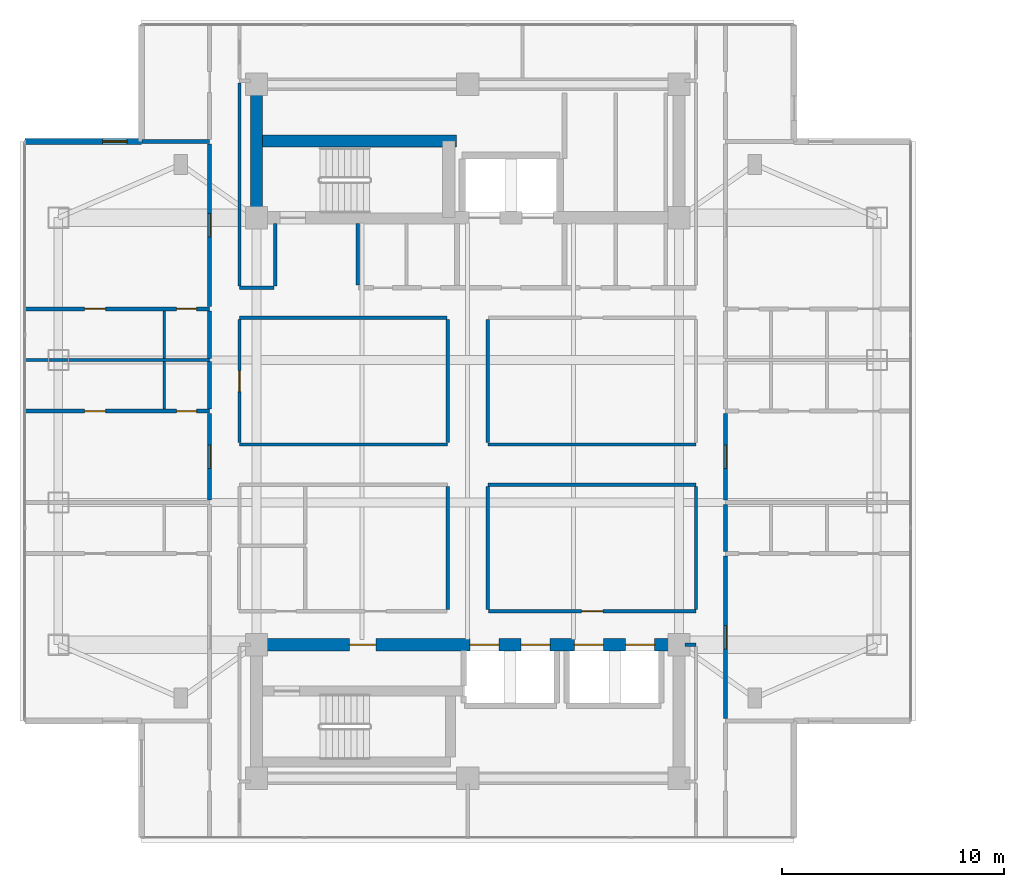
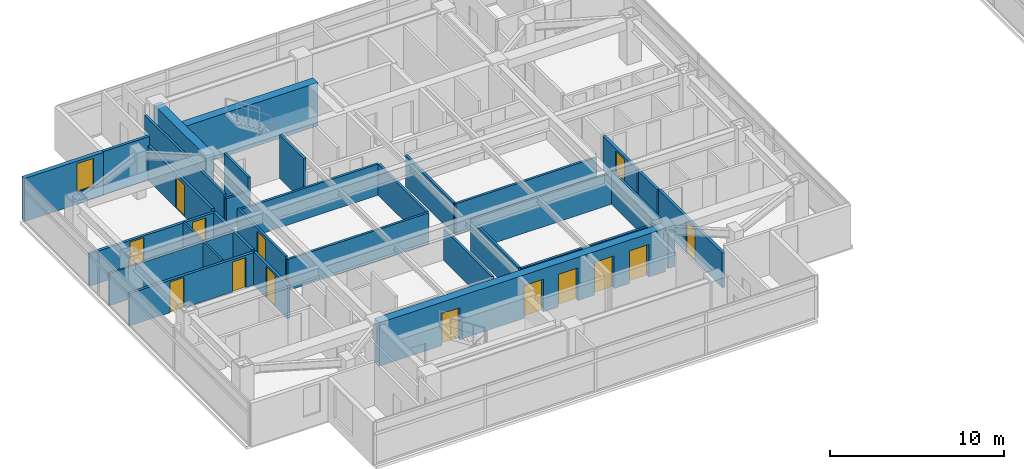
# One storey, part 13 of 24: 33 walls, 15 doors, 1 window, 16 openings.
"""IFC4 building model written with IfcOpenShell, lengths in metres."""

from ifc_helpers import new_model, si_unit, direction, frame, frame_2d, origin, place, context, subcontext, project, spatial, rectangle, extrude, material, layer, layer_set, type_object, element, fill, save


model = new_model("IFC4")

# Units and contexts
model_context = context("Model", 3, precision=1e-05, world=origin(), true_north=direction((0.0, 1.0)))
body_context = subcontext(model_context, "Body", "Model", "MODEL_VIEW")
ifc_project = project(units=[si_unit("LENGTHUNIT", "METRE"), si_unit("AREAUNIT", "SQUARE_METRE"), si_unit("VOLUMEUNIT", "CUBIC_METRE"), si_unit("PLANEANGLEUNIT", "RADIAN"), si_unit("MASSUNIT", "GRAM", prefix="KILO")], contexts=[model_context])

# Site, building, storey
site_placement = place(None, origin())
site = spatial("IfcSite", under=ifc_project, at=site_placement, CompositionType="ELEMENT")
building_placement = place(site_placement, origin())
building = spatial("IfcBuilding", under=site, at=building_placement, Name="Mirazonda Arch Towers", CompositionType="ELEMENT")
storey_placement = place(building_placement, frame((0.0, 0.0, 157.64990234375)))
storey = spatial("IfcBuildingStorey", under=building, at=storey_placement, Name="L44", CompositionType="ELEMENT", Elevation=157.64990234375)

# Walls
ifc_material_1 = material(Name="Concrete C50/60", Category="concrete")
ifc_layer_1 = layer(ifc_material_1, 0.550048828125, Name="WALL-CORE-550")
ifc_layer_set_1 = layer_set([ifc_layer_1], Name="Concrete C50/60")
wall_type_1 = type_object("IfcWallType", Name="WALL-CORE-550", PredefinedType="SHEAR", material=ifc_layer_set_1)
wall_1_placement = place(storey_placement, frame((11.0, 37.60009765625, 0.0), z_axis=(0.0, 0.0, 1.0), x_axis=(0.0, 1.0, 0.0)))
element("IfcWall", 1, at=wall_1_placement, inside=storey, type_object=wall_type_1, Name="L44 T1N-W Core Shear Wall", PredefinedType="SHEAR", context=body_context, shape_type="SweptSolid", body=[
    extrude(rectangle(XDim=6.0, YDim=0.550048828125, at=frame_2d((3.0, 0.0))), origin(), (0.0, 0.0, 1.0), 3.050048828125),
])
wall_2_placement = place(storey_placement, frame((11.0, 41.04296875, 0.0), z_axis=(0.0, 0.0, 1.0), x_axis=(1.0, 0.0, 0.0)))
element("IfcWall", 2, at=wall_2_placement, inside=storey, type_object=wall_type_1, Name="L44 T1N-STN Core Shear Wall", PredefinedType="SHEAR", context=body_context, shape_type="SweptSolid", body=[
    extrude(rectangle(XDim=9.0, YDim=0.550048828125, at=frame_2d((4.5, 0.0))), origin(), (0.0, 0.0, 1.0), 3.050048828125),
])

# Wall, openings, doors
wall_3_placement = place(storey_placement, frame((11.0, 18.39990234375, 0.0), z_axis=(0.0, 0.0, 1.0), x_axis=(1.0, 0.0, 0.0)))
wall_3 = element("IfcWall", 3, at=wall_3_placement, inside=storey, type_object=wall_type_1, Name="L44 T1S-N Core Shear Wall", PredefinedType="SHEAR", context=body_context, shape_type="SweptSolid", body=[
    extrude(rectangle(XDim=19.0, YDim=0.550048828125, at=frame_2d((9.5, 0.0))), origin(), (0.0, 0.0, 1.0), 3.050048828125),
])
opening_1_placement = place(wall_3_placement, frame((4.175048828125, 0.0, 0.0)))
opening_1 = element("IfcOpeningElement", 4, at=opening_1_placement, cuts=wall_3, Name="Opening DR-117", PredefinedType="OPENING", context=body_context, shape_type="SweptSolid", body=[
    extrude(rectangle(XDim=1.199951171875, YDim=2.25, at=frame_2d((0.60009765625, 1.125))), frame((0.0, 0.284912109375, 0.0), z_axis=(0.0, -1.0, 0.0), x_axis=(1.0, 0.0, 0.0)), (0.0, 0.0, 1.0), 0.570068359375),
])
opening_2_placement = place(wall_3_placement, frame((9.60009765625, 0.0, 0.0)))
opening_2 = element("IfcOpeningElement", 5, at=opening_2_placement, cuts=wall_3, Name="Opening LD-111", PredefinedType="OPENING", context=body_context, shape_type="SweptSolid", body=[
    extrude(rectangle(XDim=1.300048828125, YDim=2.300048828125, at=frame_2d((0.64990234375, 1.14990234375))), frame((0.0, 0.284912109375, 0.0), z_axis=(0.0, -1.0, 0.0), x_axis=(1.0, 0.0, 0.0)), (0.0, 0.0, 1.0), 0.570068359375),
])
opening_3_placement = place(wall_3_placement, frame((11.89990234375, 0.0, 0.0)))
opening_3 = element("IfcOpeningElement", 6, at=opening_3_placement, cuts=wall_3, Name="Opening LD-111", PredefinedType="OPENING", context=body_context, shape_type="SweptSolid", body=[
    extrude(rectangle(XDim=1.300048828125, YDim=2.300048828125, at=frame_2d((0.64990234375, 1.14990234375))), frame((0.0, 0.284912109375, 0.0), z_axis=(0.0, -1.0, 0.0), x_axis=(1.0, 0.0, 0.0)), (0.0, 0.0, 1.0), 0.570068359375),
])
opening_4_placement = place(wall_3_placement, frame((14.300048828125, 0.0, 0.0)))
opening_4 = element("IfcOpeningElement", 7, at=opening_4_placement, cuts=wall_3, Name="Opening LD-111", PredefinedType="OPENING", context=body_context, shape_type="SweptSolid", body=[
    extrude(rectangle(XDim=1.300048828125, YDim=2.300048828125, at=frame_2d((0.64990234375, 1.14990234375))), frame((0.0, 0.284912109375, 0.0), z_axis=(0.0, -1.0, 0.0), x_axis=(1.0, 0.0, 0.0)), (0.0, 0.0, 1.0), 0.570068359375),
])
opening_5_placement = place(wall_3_placement, frame((16.60009765625, 0.0, 0.0)))
opening_5 = element("IfcOpeningElement", 8, at=opening_5_placement, cuts=wall_3, Name="Opening LD-111", PredefinedType="OPENING", context=body_context, shape_type="SweptSolid", body=[
    extrude(rectangle(XDim=1.300048828125, YDim=2.300048828125, at=frame_2d((0.64990234375, 1.14990234375))), frame((0.0, 0.284912109375, 0.0), z_axis=(0.0, -1.0, 0.0), x_axis=(1.0, 0.0, 0.0)), (0.0, 0.0, 1.0), 0.570068359375),
])
ifc_material_2 = material(Name="Architectural Brushed Steel S355", Category="steel")
door_type_1 = type_object("IfcDoorType", Name="DOOR-FFL-FD90-1200", OperationType="NOTDEFINED", PredefinedType="DOOR", material=ifc_material_2)
door_1_placement = place(opening_1_placement, origin())
door_1 = element("IfcDoor", 9, at=door_1_placement, inside=storey, type_object=door_type_1, Name="L44 South Core Stair & Lift Lobby Door", OperationType="SINGLE_SWING_LEFT", OverallHeight=2.25, OverallWidth=1.199951171875, PredefinedType="DOOR", context=body_context, shape_type="SweptSolid", body=[
    extrude(rectangle(XDim=1.199951171875, YDim=2.25, at=frame_2d((0.60009765625, 1.125))), frame((0.0, 0.02490234375, 0.0), z_axis=(0.0, -1.0, 0.0), x_axis=(1.0, 0.0, 0.0)), (0.0, 0.0, 1.0), 0.050048828125),
])
fill(opening_1, door_1)
door_type_2 = type_object("IfcDoorType", Name="DOOR-LIFT-LAND-1300", OperationType="NOTDEFINED", PredefinedType="DOOR", material=ifc_material_2)
door_2_placement = place(opening_2_placement, origin())
door_2 = element("IfcDoor", 10, at=door_2_placement, inside=storey, type_object=door_type_2, Name="L44 Lift Landing Sliding Door PL-T1M1", OperationType="DOUBLE_DOOR_SLIDING", OverallHeight=2.300048828125, OverallWidth=1.300048828125, PredefinedType="DOOR", context=body_context, shape_type="SweptSolid", body=[
    extrude(rectangle(XDim=1.300048828125, YDim=2.300048828125, at=frame_2d((0.64990234375, 1.14990234375))), frame((0.0, 0.02490234375, 0.0), z_axis=(0.0, -1.0, 0.0), x_axis=(1.0, 0.0, 0.0)), (0.0, 0.0, 1.0), 0.050048828125),
])
fill(opening_2, door_2)
door_3_placement = place(opening_3_placement, origin())
door_3 = element("IfcDoor", 11, at=door_3_placement, inside=storey, type_object=door_type_2, Name="L44 Lift Landing Sliding Door PL-T1M2", OperationType="DOUBLE_DOOR_SLIDING", OverallHeight=2.300048828125, OverallWidth=1.300048828125, PredefinedType="DOOR", context=body_context, shape_type="SweptSolid", body=[
    extrude(rectangle(XDim=1.300048828125, YDim=2.300048828125, at=frame_2d((0.64990234375, 1.14990234375))), frame((0.0, 0.02490234375, 0.0), z_axis=(0.0, -1.0, 0.0), x_axis=(1.0, 0.0, 0.0)), (0.0, 0.0, 1.0), 0.050048828125),
])
fill(opening_3, door_3)
door_4_placement = place(opening_4_placement, origin())
door_4 = element("IfcDoor", 12, at=door_4_placement, inside=storey, type_object=door_type_2, Name="L44 Lift Landing Sliding Door PL-T1H1", OperationType="DOUBLE_DOOR_SLIDING", OverallHeight=2.300048828125, OverallWidth=1.300048828125, PredefinedType="DOOR", context=body_context, shape_type="SweptSolid", body=[
    extrude(rectangle(XDim=1.300048828125, YDim=2.300048828125, at=frame_2d((0.64990234375, 1.14990234375))), frame((0.0, 0.02490234375, 0.0), z_axis=(0.0, -1.0, 0.0), x_axis=(1.0, 0.0, 0.0)), (0.0, 0.0, 1.0), 0.050048828125),
])
fill(opening_4, door_4)
door_5_placement = place(opening_5_placement, origin())
door_5 = element("IfcDoor", 13, at=door_5_placement, inside=storey, type_object=door_type_2, Name="L44 Lift Landing Sliding Door PL-T1H2", OperationType="DOUBLE_DOOR_SLIDING", OverallHeight=2.300048828125, OverallWidth=1.300048828125, PredefinedType="DOOR", context=body_context, shape_type="SweptSolid", body=[
    extrude(rectangle(XDim=1.300048828125, YDim=2.300048828125, at=frame_2d((0.64990234375, 1.14990234375))), frame((0.0, 0.02490234375, 0.0), z_axis=(0.0, -1.0, 0.0), x_axis=(1.0, 0.0, 0.0)), (0.0, 0.0, 1.0), 0.050048828125),
])
fill(opening_5, door_5)

# Wall, opening, window
ifc_material_3 = material(Name="Precast Concrete C40/50", Category="concrete")
ifc_layer_2 = layer(ifc_material_3, 0.280029296875, Name="WALL-EXT-WALL-280")
ifc_layer_set_2 = layer_set([ifc_layer_2], Name="Precast Concrete C40/50")
wall_type_2 = type_object("IfcWallType", Name="WALL-EXT-WALL-280", PredefinedType="SOLIDWALL", material=ifc_layer_set_2)
wall_4_placement = place(storey_placement, frame((5.8349609375, 41.02294921875, 0.0), z_axis=(0.0, 0.0, 1.0), x_axis=(-1.0, 0.0, 0.0)))
wall_4 = element("IfcWall", 14, at=wall_4_placement, inside=storey, type_object=wall_type_2, Name="L44 T1 Corner Notch Return Wall WL-L44-T1-CNW1", PredefinedType="SOLIDWALL", context=body_context, shape_type="SweptSolid", body=[
    extrude(rectangle(XDim=5.244873046875, YDim=0.280029296875, at=frame_2d((2.62255859375, 0.0))), origin(), (0.0, 0.0, 1.0), 3.030029296875),
])
opening_6_placement = place(wall_4_placement, frame((0.64990234375, 0.0, 0.85009765625)))
opening_6 = element("IfcOpeningElement", 15, at=opening_6_placement, cuts=wall_4, Name="Opening WN-108", PredefinedType="OPENING", context=body_context, shape_type="SweptSolid", body=[
    extrude(rectangle(XDim=1.10009765625, YDim=2.0, at=frame_2d((0.550048828125, 1.0))), frame((0.0, 0.14990234375, 0.0), z_axis=(0.0, -1.0, 0.0), x_axis=(1.0, 0.0, 0.0)), (0.0, 0.0, 1.0), 0.300048828125),
])
ifc_material_4 = material(Name="Insulated Low-E Solar Glass", Category="glass")
window_type = type_object("IfcWindowType", Name="WIN-NOTCH-1100x2000", PartitioningType="SINGLE_PANEL", PredefinedType="WINDOW", material=ifc_material_4)
window_placement = place(opening_6_placement, origin())
window = element("IfcWindow", 16, at=window_placement, inside=storey, type_object=window_type, Name="L44 Punched Facade Window WN-L44-T1-CNW1", OverallHeight=2.0, OverallWidth=1.10009765625, PartitioningType="SINGLE_PANEL", PredefinedType="WINDOW", context=body_context, shape_type="SweptSolid", body=[
    extrude(rectangle(XDim=1.10009765625, YDim=2.0, at=frame_2d((0.550048828125, 1.0))), frame((0.0, 0.030029296875, 0.0), z_axis=(0.0, -1.0, 0.0), x_axis=(1.0, 0.0, 0.0)), (0.0, 0.0, 1.0), 0.06005859375),
])
fill(opening_6, window)

# Wall
ifc_material_5 = material(Name="Fire-Rated Gypsum Stud Partition")
ifc_layer_3 = layer(ifc_material_5, 0.14990234375, Name="WALL-PART-CORR-150")
ifc_layer_set_3 = layer_set([ifc_layer_3], Name="Fire-Rated Gypsum Stud Partition")
wall_type_3 = type_object("IfcWallType", Name="WALL-PART-CORR-150", PredefinedType="PARTITIONING", material=ifc_layer_set_3)
wall_5_placement = place(storey_placement, frame((30.27001953125, 18.39990234375, 0.0), z_axis=(0.0, 0.0, 1.0), x_axis=(1.0, 0.0, 0.0)))
element("IfcWall", 17, at=wall_5_placement, inside=storey, type_object=wall_type_3, Name="L44 Interior Partition 013", PredefinedType="PARTITIONING", context=body_context, shape_type="SweptSolid", body=[
    extrude(rectangle(XDim=0.489990234375, YDim=0.14990234375, at=frame_2d((0.2451171875, 0.0))), origin(), (0.0, 0.0, 1.0), 2.442138671875),
])

# Wall, opening, door
wall_6_placement = place(storey_placement, frame((21.43994140625, 19.89990234375, 0.0), z_axis=(0.0, 0.0, 1.0), x_axis=(1.0, 0.0, 0.0)))
wall_6 = element("IfcWall", 18, at=wall_6_placement, inside=storey, type_object=wall_type_3, Name="L44 Interior Partition 016", PredefinedType="PARTITIONING", context=body_context, shape_type="SweptSolid", body=[
    extrude(rectangle(XDim=9.320068359375, YDim=0.14990234375, at=frame_2d((4.66015625, 0.0))), origin(), (0.0, 0.0, 1.0), 2.18603515625),
])
opening_7_placement = place(wall_6_placement, frame((4.18505859375, 0.0, 0.0)))
opening_7 = element("IfcOpeningElement", 19, at=opening_7_placement, cuts=wall_6, Name="Opening DR-104", PredefinedType="OPENING", context=body_context, shape_type="SweptSolid", body=[
    extrude(rectangle(XDim=0.949951171875, YDim=2.14990234375, at=frame_2d((0.47509765625, 1.074951171875))), frame((0.0, 0.0849609375, 0.0), z_axis=(0.0, -1.0, 0.0), x_axis=(1.0, 0.0, 0.0)), (0.0, 0.0, 1.0), 0.169921875),
])
door_type_3 = type_object("IfcDoorType", Name="DOOR-ROOM-950", OperationType="NOTDEFINED", PredefinedType="DOOR", material=ifc_material_2)
door_6_placement = place(opening_7_placement, origin())
door_6 = element("IfcDoor", 20, at=door_6_placement, inside=storey, type_object=door_type_3, Name="L44 L44 South-East Cruciform Lounge Door", OperationType="SINGLE_SWING_LEFT", OverallHeight=2.14990234375, OverallWidth=0.949951171875, PredefinedType="DOOR", context=body_context, shape_type="SweptSolid", body=[
    extrude(rectangle(XDim=0.949951171875, YDim=2.14990234375, at=frame_2d((0.47509765625, 1.074951171875))), frame((0.0, 0.02490234375, 0.0), z_axis=(0.0, -1.0, 0.0), x_axis=(1.0, 0.0, 0.0)), (0.0, 0.0, 1.0), 0.050048828125),
])
fill(opening_7, door_6)

# Walls
for number, where, z_axis, x_axis, name in (
    (21, (21.39990234375, 25.60009765625, 0.0), (0.0, 0.0, 1.0), (1.0, 0.0, 0.0), "L44 Interior Partition 030"),
    (22, (10.239990234375, 27.39990234375, 0.0), (0.0, 0.0, 1.0), (1.0, 0.0, 0.0), "L44 Interior Partition 033"),
    (23, (21.39990234375, 27.39990234375, 0.0), (0.0, 0.0, 1.0), (1.0, 0.0, 0.0), "L44 Interior Partition 034"),
):
    element("IfcWall", number, at=place(storey_placement, frame(where, z_axis=z_axis, x_axis=x_axis)), inside=storey, type_object=wall_type_3, Name=name, PredefinedType="PARTITIONING", context=body_context, shape_type="SweptSolid", body=[
        extrude(rectangle(XDim=9.360107421875, YDim=0.14990234375, at=frame_2d((4.68017578125, 0.0))), origin(), (0.0, 0.0, 1.0), 2.18603515625),
    ])
wall_7_placement = place(storey_placement, frame((10.239990234375, 33.10009765625, 0.0), z_axis=(0.0, 0.0, 1.0), x_axis=(1.0, 0.0, 0.0)))
element("IfcWall", 24, at=wall_7_placement, inside=storey, type_object=wall_type_3, Name="L44 Interior Partition 047", PredefinedType="PARTITIONING", context=body_context, shape_type="SweptSolid", body=[
    extrude(rectangle(XDim=9.320068359375, YDim=0.14990234375, at=frame_2d((4.66015625, 0.0))), origin(), (0.0, 0.0, 1.0), 2.18603515625),
])
wall_8_placement = place(storey_placement, frame((10.239990234375, 34.449951171875, 0.0), z_axis=(0.0, 0.0, 1.0), x_axis=(1.0, 0.0, 0.0)))
element("IfcWall", 25, at=wall_8_placement, inside=storey, type_object=wall_type_3, Name="L44 Interior Partition 051", PredefinedType="PARTITIONING", context=body_context, shape_type="SweptSolid", body=[
    extrude(rectangle(XDim=1.56005859375, YDim=0.14990234375, at=frame_2d((0.780029296875, 0.0))), origin(), (0.0, 0.0, 1.0), 2.18603515625),
])

# Wall, opening, door
wall_9_placement = place(storey_placement, frame((10.239990234375, 27.485107421875, 0.0), z_axis=(0.0, 0.0, 1.0), x_axis=(0.0, 1.0, 0.0)))
wall_9 = element("IfcWall", 26, at=wall_9_placement, inside=storey, type_object=wall_type_3, Name="L44 Interior Partition 079", PredefinedType="PARTITIONING", context=body_context, shape_type="SweptSolid", body=[
    extrude(rectangle(XDim=5.52978515625, YDim=0.14990234375, at=frame_2d((2.764892578125, 0.0))), origin(), (0.0, 0.0, 1.0), 2.34619140625),
])
opening_8_placement = place(wall_9_placement, frame((2.2900390625, 0.0, 0.0)))
opening_8 = element("IfcOpeningElement", 27, at=opening_8_placement, cuts=wall_9, Name="Opening DR-104", PredefinedType="OPENING", context=body_context, shape_type="SweptSolid", body=[
    extrude(rectangle(XDim=0.949951171875, YDim=2.14990234375, at=frame_2d((0.47509765625, 1.074951171875))), frame((0.0, 0.0849609375, 0.0), z_axis=(0.0, -1.0, 0.0), x_axis=(1.0, 0.0, 0.0)), (0.0, 0.0, 1.0), 0.169921875),
])
door_7_placement = place(opening_8_placement, origin())
door_7 = element("IfcDoor", 28, at=door_7_placement, inside=storey, type_object=door_type_3, Name="L44 L44 West Courtyard Reading Salon Door", OperationType="SINGLE_SWING_RIGHT", OverallHeight=2.14990234375, OverallWidth=0.949951171875, PredefinedType="DOOR", context=body_context, shape_type="SweptSolid", body=[
    extrude(rectangle(XDim=0.949951171875, YDim=2.14990234375, at=frame_2d((0.47509765625, 1.074951171875))), frame((0.0, 0.02490234375, 0.0), z_axis=(0.0, -1.0, 0.0), x_axis=(1.0, 0.0, 0.0)), (0.0, 0.0, 1.0), 0.050048828125),
])
fill(opening_8, door_7)

# Walls
wall_10_placement = place(storey_placement, frame((10.239990234375, 34.534912109375, 0.0), z_axis=(0.0, 0.0, 1.0), x_axis=(0.0, 1.0, 0.0)))
element("IfcWall", 29, at=wall_10_placement, inside=storey, type_object=wall_type_3, Name="L44 Interior Partition 080", PredefinedType="PARTITIONING", context=body_context, shape_type="SweptSolid", body=[
    extrude(rectangle(XDim=9.130126953125, YDim=0.14990234375, at=frame_2d((4.56494140625, 0.0))), origin(), (0.0, 0.0, 1.0), 2.442138671875),
])
wall_11_placement = place(storey_placement, frame((11.85009765625, 34.534912109375, 0.0), z_axis=(0.0, 0.0, 1.0), x_axis=(0.0, 1.0, 0.0)))
element("IfcWall", 30, at=wall_11_placement, inside=storey, type_object=wall_type_3, Name="L44 Interior Partition 082", PredefinedType="PARTITIONING", context=body_context, shape_type="SweptSolid", body=[
    extrude(rectangle(XDim=2.795166015625, YDim=0.14990234375, at=frame_2d((1.3974609375, 0.0))), origin(), (0.0, 0.0, 1.0), 3.050048828125),
])
wall_12_placement = place(storey_placement, frame((15.550048828125, 34.570068359375, 0.0), z_axis=(0.0, 0.0, 1.0), x_axis=(0.0, 1.0, 0.0)))
element("IfcWall", 31, at=wall_12_placement, inside=storey, type_object=wall_type_3, Name="L44 Interior Partition 085", PredefinedType="PARTITIONING", context=body_context, shape_type="SweptSolid", body=[
    extrude(rectangle(XDim=2.760009765625, YDim=0.14990234375, at=frame_2d((1.3798828125, 0.0))), origin(), (0.0, 0.0, 1.0), 3.050048828125),
])
for number, where, z_axis, x_axis, name in (
    (32, (19.60009765625, 19.985107421875, 0.0), (0.0, 0.0, 1.0), (0.0, 1.0, 0.0), "L44 Interior Partition 087"),
    (33, (19.60009765625, 27.485107421875, 0.0), (0.0, 0.0, 1.0), (0.0, 1.0, 0.0), "L44 Interior Partition 088"),
    (34, (21.39990234375, 19.985107421875, 0.0), (0.0, 0.0, 1.0), (0.0, 1.0, 0.0), "L44 Interior Partition 095"),
    (35, (21.39990234375, 27.485107421875, 0.0), (0.0, 0.0, 1.0), (0.0, 1.0, 0.0), "L44 Interior Partition 096"),
):
    element("IfcWall", number, at=place(storey_placement, frame(where, z_axis=z_axis, x_axis=x_axis)), inside=storey, type_object=wall_type_3, Name=name, PredefinedType="PARTITIONING", context=body_context, shape_type="SweptSolid", body=[
        extrude(rectangle(XDim=5.52978515625, YDim=0.14990234375, at=frame_2d((2.764892578125, 0.0))), origin(), (0.0, 0.0, 1.0), 2.18603515625),
    ])
wall_13_placement = place(storey_placement, frame((30.760009765625, 19.985107421875, 0.0), z_axis=(0.0, 0.0, 1.0), x_axis=(0.0, 1.0, 0.0)))
element("IfcWall", 36, at=wall_13_placement, inside=storey, type_object=wall_type_3, Name="L44 Interior Partition 110", PredefinedType="PARTITIONING", context=body_context, shape_type="SweptSolid", body=[
    extrude(rectangle(XDim=5.52978515625, YDim=0.14990234375, at=frame_2d((2.764892578125, 0.0))), origin(), (0.0, 0.0, 1.0), 2.34619140625),
])

# Wall, openings, doors
ifc_material_6 = material(Name="Fire-Rated Gypsum Twin-Stud Assembly")
ifc_layer_4 = layer(ifc_material_6, 0.179931640625, Name="WALL-PART-DEMISE-180")
ifc_layer_set_4 = layer_set([ifc_layer_4], Name="Fire-Rated Gypsum Twin-Stud Assembly")
wall_type_4 = type_object("IfcWallType", Name="WALL-PART-DEMISE-180", PredefinedType="PARTITIONING", material=ifc_layer_set_4)
wall_14_placement = place(storey_placement, frame((0.590087890625, 28.89990234375, 0.0), z_axis=(0.0, 0.0, 1.0), x_axis=(1.0, 0.0, 0.0)))
wall_14 = element("IfcWall", 37, at=wall_14_placement, inside=storey, type_object=wall_type_4, Name="L44 Interior Partition 037", PredefinedType="PARTITIONING", context=body_context, shape_type="SweptSolid", body=[
    extrude(rectangle(XDim=8.309814453125, YDim=0.179931640625, at=frame_2d((4.15478515625, 0.0))), origin(), (0.0, 0.0, 1.0), 2.26904296875),
])
opening_9_placement = place(wall_14_placement, frame((2.679931640625, 0.0, 0.0)))
opening_9 = element("IfcOpeningElement", 38, at=opening_9_placement, cuts=wall_14, Name="Opening DR-104", PredefinedType="OPENING", context=body_context, shape_type="SweptSolid", body=[
    extrude(rectangle(XDim=0.949951171875, YDim=2.14990234375, at=frame_2d((0.47509765625, 1.074951171875))), frame((0.0, 0.099853515625, 0.0), z_axis=(0.0, -1.0, 0.0), x_axis=(1.0, 0.0, 0.0)), (0.0, 0.0, 1.0), 0.199951171875),
])
opening_10_placement = place(wall_14_placement, frame((6.820068359375, 0.0, 0.0)))
opening_10 = element("IfcOpeningElement", 39, at=opening_10_placement, cuts=wall_14, Name="Opening DR-120", PredefinedType="OPENING", context=body_context, shape_type="SweptSolid", body=[
    extrude(rectangle(XDim=0.89990234375, YDim=2.10009765625, at=frame_2d((0.449951171875, 1.050048828125))), frame((0.0, 0.099853515625, 0.0), z_axis=(0.0, -1.0, 0.0), x_axis=(1.0, 0.0, 0.0)), (0.0, 0.0, 1.0), 0.199951171875),
])
door_8_placement = place(opening_9_placement, origin())
door_8 = element("IfcDoor", 40, at=door_8_placement, inside=storey, type_object=door_type_3, Name="L44 Studio 2 Galley Kitchen Door", OperationType="SINGLE_SWING_RIGHT", OverallHeight=2.14990234375, OverallWidth=0.949951171875, PredefinedType="DOOR", context=body_context, shape_type="SweptSolid", body=[
    extrude(rectangle(XDim=0.949951171875, YDim=2.14990234375, at=frame_2d((0.47509765625, 1.074951171875))), frame((0.0, 0.02490234375, 0.0), z_axis=(0.0, -1.0, 0.0), x_axis=(1.0, 0.0, 0.0)), (0.0, 0.0, 1.0), 0.050048828125),
])
fill(opening_9, door_8)
door_type_4 = type_object("IfcDoorType", Name="DOOR-WC-900", OperationType="NOTDEFINED", PredefinedType="DOOR", material=ifc_material_2)
door_9_placement = place(opening_10_placement, origin())
door_9 = element("IfcDoor", 41, at=door_9_placement, inside=storey, type_object=door_type_4, Name="L44 Studio 2 Bathroom Door", OperationType="SINGLE_SWING_LEFT", OverallHeight=2.10009765625, OverallWidth=0.89990234375, PredefinedType="DOOR", context=body_context, shape_type="SweptSolid", body=[
    extrude(rectangle(XDim=0.89990234375, YDim=2.10009765625, at=frame_2d((0.449951171875, 1.050048828125))), frame((0.0, 0.02490234375, 0.0), z_axis=(0.0, -1.0, 0.0), x_axis=(1.0, 0.0, 0.0)), (0.0, 0.0, 1.0), 0.050048828125),
])
fill(opening_10, door_9)

wall_15_placement = place(storey_placement, frame((0.590087890625, 33.5, 0.0), z_axis=(0.0, 0.0, 1.0), x_axis=(1.0, 0.0, 0.0)))
wall_15 = element("IfcWall", 42, at=wall_15_placement, inside=storey, type_object=wall_type_4, Name="L44 Interior Partition 049", PredefinedType="PARTITIONING", context=body_context, shape_type="SweptSolid", body=[
    extrude(rectangle(XDim=8.309814453125, YDim=0.179931640625, at=frame_2d((4.15478515625, 0.0))), origin(), (0.0, 0.0, 1.0), 2.26904296875),
])
opening_11_placement = place(wall_15_placement, frame((2.679931640625, 0.0, 0.0)))
opening_11 = element("IfcOpeningElement", 43, at=opening_11_placement, cuts=wall_15, Name="Opening DR-104", PredefinedType="OPENING", context=body_context, shape_type="SweptSolid", body=[
    extrude(rectangle(XDim=0.949951171875, YDim=2.14990234375, at=frame_2d((0.47509765625, 1.074951171875))), frame((0.0, 0.099853515625, 0.0), z_axis=(0.0, -1.0, 0.0), x_axis=(1.0, 0.0, 0.0)), (0.0, 0.0, 1.0), 0.199951171875),
])
opening_12_placement = place(wall_15_placement, frame((6.820068359375, 0.0, 0.0)))
opening_12 = element("IfcOpeningElement", 44, at=opening_12_placement, cuts=wall_15, Name="Opening DR-120", PredefinedType="OPENING", context=body_context, shape_type="SweptSolid", body=[
    extrude(rectangle(XDim=0.89990234375, YDim=2.10009765625, at=frame_2d((0.449951171875, 1.050048828125))), frame((0.0, 0.099853515625, 0.0), z_axis=(0.0, -1.0, 0.0), x_axis=(1.0, 0.0, 0.0)), (0.0, 0.0, 1.0), 0.199951171875),
])
door_10_placement = place(opening_11_placement, origin())
door_10 = element("IfcDoor", 45, at=door_10_placement, inside=storey, type_object=door_type_3, Name="L44 Studio 3 Galley Kitchen Door", OperationType="SINGLE_SWING_LEFT", OverallHeight=2.14990234375, OverallWidth=0.949951171875, PredefinedType="DOOR", context=body_context, shape_type="SweptSolid", body=[
    extrude(rectangle(XDim=0.949951171875, YDim=2.14990234375, at=frame_2d((0.47509765625, 1.074951171875))), frame((0.0, 0.02490234375, 0.0), z_axis=(0.0, -1.0, 0.0), x_axis=(1.0, 0.0, 0.0)), (0.0, 0.0, 1.0), 0.050048828125),
])
fill(opening_11, door_10)
door_11_placement = place(opening_12_placement, origin())
door_11 = element("IfcDoor", 46, at=door_11_placement, inside=storey, type_object=door_type_4, Name="L44 Studio 3 Bathroom Door", OperationType="SINGLE_SWING_RIGHT", OverallHeight=2.10009765625, OverallWidth=0.89990234375, PredefinedType="DOOR", context=body_context, shape_type="SweptSolid", body=[
    extrude(rectangle(XDim=0.89990234375, YDim=2.10009765625, at=frame_2d((0.449951171875, 1.050048828125))), frame((0.0, 0.02490234375, 0.0), z_axis=(0.0, -1.0, 0.0), x_axis=(1.0, 0.0, 0.0)), (0.0, 0.0, 1.0), 0.050048828125),
])
fill(opening_12, door_11)

# Wall
wall_16_placement = place(storey_placement, frame((5.85498046875, 41.02294921875, 0.0), z_axis=(0.0, 0.0, 1.0), x_axis=(1.0, 0.0, 0.0)))
element("IfcWall", 47, at=wall_16_placement, inside=storey, type_object=wall_type_4, Name="L44 Interior Partition 060", PredefinedType="PARTITIONING", context=body_context, shape_type="SweptSolid", body=[
    extrude(rectangle(XDim=3.044921875, YDim=0.179931640625, at=frame_2d((1.5224609375, 0.0))), origin(), (0.0, 0.0, 1.0), 3.050048828125),
])

# Wall, opening, door
wall_17_placement = place(storey_placement, frame((8.89990234375, 24.89990234375, 0.0), z_axis=(0.0, 0.0, 1.0), x_axis=(0.0, 1.0, 0.0)))
wall_17 = element("IfcWall", 48, at=wall_17_placement, inside=storey, type_object=wall_type_4, Name="L44 Interior Partition 070", PredefinedType="PARTITIONING", context=body_context, shape_type="SweptSolid", body=[
    extrude(rectangle(XDim=3.900146484375, YDim=0.179931640625, at=frame_2d((1.9501953125, 0.0))), origin(), (0.0, 0.0, 1.0), 2.34619140625),
])
opening_13_placement = place(wall_17_placement, frame((1.425048828125, 0.0, 0.0)))
opening_13 = element("IfcOpeningElement", 49, at=opening_13_placement, cuts=wall_17, Name="Opening DR-121", PredefinedType="OPENING", context=body_context, shape_type="SweptSolid", body=[
    extrude(rectangle(XDim=1.050048828125, YDim=2.199951171875, at=frame_2d((0.52490234375, 1.10009765625))), frame((0.0, 0.099853515625, 0.0), z_axis=(0.0, -1.0, 0.0), x_axis=(1.0, 0.0, 0.0)), (0.0, 0.0, 1.0), 0.199951171875),
])
door_type_5 = type_object("IfcDoorType", Name="DOOR-SUITE-FD60-1050", OperationType="NOTDEFINED", PredefinedType="DOOR", material=ifc_material_2)
door_12_placement = place(opening_13_placement, origin())
door_12 = element("IfcDoor", 50, at=door_12_placement, inside=storey, type_object=door_type_5, Name="L44 Studio Apartment 2 Living Salon Door", OperationType="SINGLE_SWING_LEFT", OverallHeight=2.199951171875, OverallWidth=1.050048828125, PredefinedType="DOOR", context=body_context, shape_type="SweptSolid", body=[
    extrude(rectangle(XDim=1.050048828125, YDim=2.199951171875, at=frame_2d((0.52490234375, 1.10009765625))), frame((0.0, 0.02490234375, 0.0), z_axis=(0.0, -1.0, 0.0), x_axis=(1.0, 0.0, 0.0)), (0.0, 0.0, 1.0), 0.050048828125),
])
fill(opening_13, door_12)

# Walls
for number, where, z_axis, x_axis, name in (
    (51, (8.89990234375, 29.0, 0.0), (0.0, 0.0, 1.0), (0.0, 1.0, 0.0), "L44 Interior Partition 071"),
    (52, (8.89990234375, 31.2724609375, 0.0), (0.0, 0.0, 1.0), (0.0, 1.0, 0.0), "L44 Interior Partition 072"),
):
    element("IfcWall", number, at=place(storey_placement, frame(where, z_axis=z_axis, x_axis=x_axis)), inside=storey, type_object=wall_type_4, Name=name, PredefinedType="PARTITIONING", context=body_context, shape_type="SweptSolid", body=[
        extrude(rectangle(XDim=2.12744140625, YDim=0.179931640625, at=frame_2d((1.063720703125, 0.0))), origin(), (0.0, 0.0, 1.0), 2.34619140625),
    ])

# Wall, opening, door
wall_18_placement = place(storey_placement, frame((8.89990234375, 33.60009765625, 0.0), z_axis=(0.0, 0.0, 1.0), x_axis=(0.0, 1.0, 0.0)))
wall_18 = element("IfcWall", 53, at=wall_18_placement, inside=storey, type_object=wall_type_4, Name="L44 Interior Partition 073", PredefinedType="PARTITIONING", context=body_context, shape_type="SweptSolid", body=[
    extrude(rectangle(XDim=7.322998046875, YDim=0.179931640625, at=frame_2d((3.66162109375, 0.0))), origin(), (0.0, 0.0, 1.0), 2.442138671875),
])
opening_14_placement = place(wall_18_placement, frame((3.136474609375, 0.0, 0.0)))
opening_14 = element("IfcOpeningElement", 54, at=opening_14_placement, cuts=wall_18, Name="Opening DR-121", PredefinedType="OPENING", context=body_context, shape_type="SweptSolid", body=[
    extrude(rectangle(XDim=1.050048828125, YDim=2.199951171875, at=frame_2d((0.52490234375, 1.10009765625))), frame((0.0, 0.099853515625, 0.0), z_axis=(0.0, -1.0, 0.0), x_axis=(1.0, 0.0, 0.0)), (0.0, 0.0, 1.0), 0.199951171875),
])
door_13_placement = place(opening_14_placement, origin())
door_13 = element("IfcDoor", 55, at=door_13_placement, inside=storey, type_object=door_type_5, Name="L44 Studio Apartment 3 Living Salon Door", OperationType="SINGLE_SWING_RIGHT", OverallHeight=2.199951171875, OverallWidth=1.050048828125, PredefinedType="DOOR", context=body_context, shape_type="SweptSolid", body=[
    extrude(rectangle(XDim=1.050048828125, YDim=2.199951171875, at=frame_2d((0.52490234375, 1.10009765625))), frame((0.0, 0.02490234375, 0.0), z_axis=(0.0, -1.0, 0.0), x_axis=(1.0, 0.0, 0.0)), (0.0, 0.0, 1.0), 0.050048828125),
])
fill(opening_14, door_13)

wall_19_placement = place(storey_placement, frame((32.10009765625, 15.076904296875, 0.0), z_axis=(0.0, 0.0, 1.0), x_axis=(0.0, 1.0, 0.0)))
wall_19 = element("IfcWall", 56, at=wall_19_placement, inside=storey, type_object=wall_type_4, Name="L44 Interior Partition 115", PredefinedType="PARTITIONING", context=body_context, shape_type="SweptSolid", body=[
    extrude(rectangle(XDim=7.322998046875, YDim=0.179931640625, at=frame_2d((3.66162109375, 0.0))), origin(), (0.0, 0.0, 1.0), 2.442138671875),
])
opening_15_placement = place(wall_19_placement, frame((3.136474609375, 0.0, 0.0)))
opening_15 = element("IfcOpeningElement", 57, at=opening_15_placement, cuts=wall_19, Name="Opening DR-121", PredefinedType="OPENING", context=body_context, shape_type="SweptSolid", body=[
    extrude(rectangle(XDim=1.050048828125, YDim=2.199951171875, at=frame_2d((0.52490234375, 1.10009765625))), frame((0.0, 0.099853515625, 0.0), z_axis=(0.0, -1.0, 0.0), x_axis=(1.0, 0.0, 0.0)), (0.0, 0.0, 1.0), 0.199951171875),
])
door_14_placement = place(opening_15_placement, origin())
door_14 = element("IfcDoor", 58, at=door_14_placement, inside=storey, type_object=door_type_5, Name="L44 Residence 1 Living & Dining Salon Door", OperationType="SINGLE_SWING_LEFT", OverallHeight=2.199951171875, OverallWidth=1.050048828125, PredefinedType="DOOR", context=body_context, shape_type="SweptSolid", body=[
    extrude(rectangle(XDim=1.050048828125, YDim=2.199951171875, at=frame_2d((0.52490234375, 1.10009765625))), frame((0.0, 0.02490234375, 0.0), z_axis=(0.0, -1.0, 0.0), x_axis=(1.0, 0.0, 0.0)), (0.0, 0.0, 1.0), 0.050048828125),
])
fill(opening_15, door_14)

# Wall
wall_20_placement = place(storey_placement, frame((32.10009765625, 22.60009765625, 0.0), z_axis=(0.0, 0.0, 1.0), x_axis=(0.0, 1.0, 0.0)))
element("IfcWall", 59, at=wall_20_placement, inside=storey, type_object=wall_type_4, Name="L44 Interior Partition 116", PredefinedType="PARTITIONING", context=body_context, shape_type="SweptSolid", body=[
    extrude(rectangle(XDim=2.099853515625, YDim=0.179931640625, at=frame_2d((1.0498046875, 0.0))), origin(), (0.0, 0.0, 1.0), 2.34619140625),
])

# Wall, opening, door
wall_21_placement = place(storey_placement, frame((32.10009765625, 24.89990234375, 0.0), z_axis=(0.0, 0.0, 1.0), x_axis=(0.0, 1.0, 0.0)))
wall_21 = element("IfcWall", 60, at=wall_21_placement, inside=storey, type_object=wall_type_4, Name="L44 Interior Partition 117", PredefinedType="PARTITIONING", context=body_context, shape_type="SweptSolid", body=[
    extrude(rectangle(XDim=3.900146484375, YDim=0.179931640625, at=frame_2d((1.9501953125, 0.0))), origin(), (0.0, 0.0, 1.0), 2.34619140625),
])
opening_16_placement = place(wall_21_placement, frame((1.425048828125, 0.0, 0.0)))
opening_16 = element("IfcOpeningElement", 61, at=opening_16_placement, cuts=wall_21, Name="Opening DR-121", PredefinedType="OPENING", context=body_context, shape_type="SweptSolid", body=[
    extrude(rectangle(XDim=1.050048828125, YDim=2.199951171875, at=frame_2d((0.52490234375, 1.10009765625))), frame((0.0, 0.099853515625, 0.0), z_axis=(0.0, -1.0, 0.0), x_axis=(1.0, 0.0, 0.0)), (0.0, 0.0, 1.0), 0.199951171875),
])
door_15_placement = place(opening_16_placement, origin())
door_15 = element("IfcDoor", 62, at=door_15_placement, inside=storey, type_object=door_type_5, Name="L44 Residence 2 Living & Dining Salon Door", OperationType="SINGLE_SWING_LEFT", OverallHeight=2.199951171875, OverallWidth=1.050048828125, PredefinedType="DOOR", context=body_context, shape_type="SweptSolid", body=[
    extrude(rectangle(XDim=1.050048828125, YDim=2.199951171875, at=frame_2d((0.52490234375, 1.10009765625))), frame((0.0, 0.02490234375, 0.0), z_axis=(0.0, -1.0, 0.0), x_axis=(1.0, 0.0, 0.0)), (0.0, 0.0, 1.0), 0.050048828125),
])
fill(opening_16, door_15)

# Walls
ifc_material_7 = material(Name="Acoustic Fire-Rated Gypsum Partition")
ifc_layer_5 = layer(ifc_material_7, 0.125, Name="WALL-PART-UNIT-125")
ifc_layer_set_5 = layer_set([ifc_layer_5], Name="Acoustic Fire-Rated Gypsum Partition")
wall_type_5 = type_object("IfcWallType", Name="WALL-PART-UNIT-125", PredefinedType="PARTITIONING", material=ifc_layer_set_5)
wall_22_placement = place(storey_placement, frame((0.590087890625, 31.199951171875, 0.0), z_axis=(0.0, 0.0, 1.0), x_axis=(1.0, 0.0, 0.0)))
element("IfcWall", 63, at=wall_22_placement, inside=storey, type_object=wall_type_5, Name="L44 Interior Partition 042", PredefinedType="PARTITIONING", context=body_context, shape_type="SweptSolid", body=[
    extrude(rectangle(XDim=8.309814453125, YDim=0.125, at=frame_2d((4.15478515625, 0.0))), origin(), (0.0, 0.0, 1.0), 2.26904296875),
])
for number, where, z_axis, x_axis, name in (
    (64, (6.860107421875, 29.0, 0.0), (0.0, 0.0, 1.0), (0.0, 1.0, 0.0), "L44 Interior Partition 065"),
    (65, (6.860107421875, 31.2724609375, 0.0), (0.0, 0.0, 1.0), (0.0, 1.0, 0.0), "L44 Interior Partition 066"),
):
    element("IfcWall", number, at=place(storey_placement, frame(where, z_axis=z_axis, x_axis=x_axis)), inside=storey, type_object=wall_type_5, Name=name, PredefinedType="PARTITIONING", context=body_context, shape_type="SweptSolid", body=[
        extrude(rectangle(XDim=2.12744140625, YDim=0.125, at=frame_2d((1.063720703125, 0.0))), origin(), (0.0, 0.0, 1.0), 2.34619140625),
    ])

save(model, "model.ifc")
